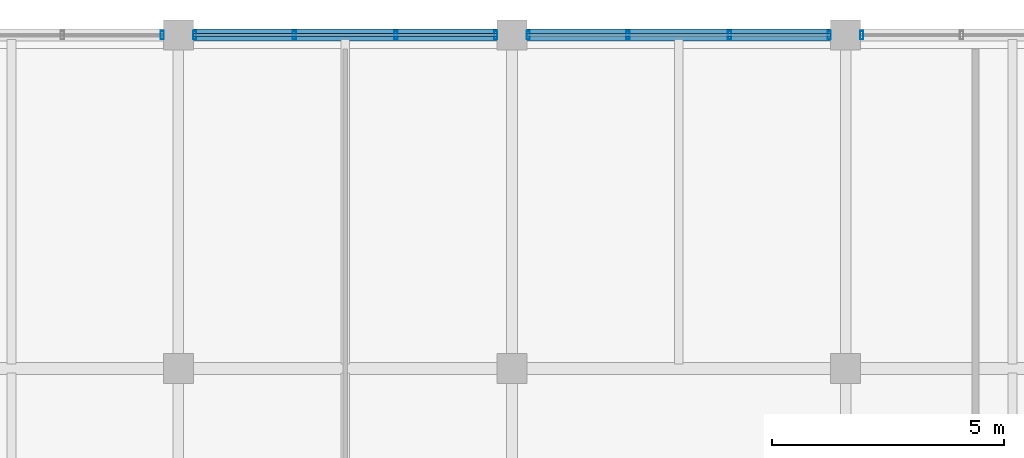
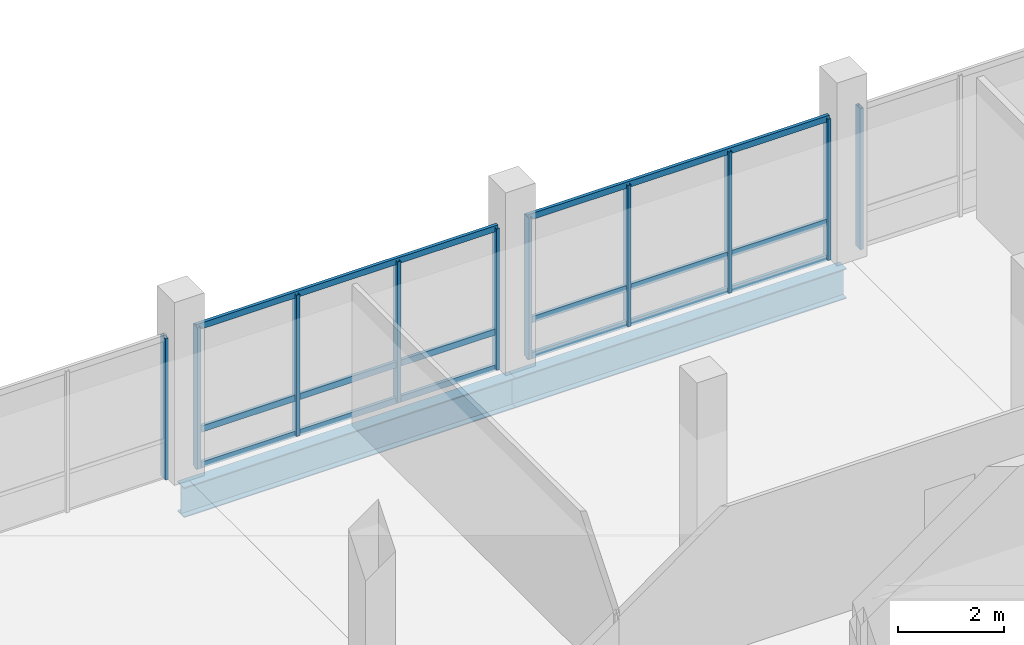
# One storey, part 65 of 102: 16 members, 2 beams, 4 elements without a shape of their own.
"""IFC4 building model written with IfcOpenShell, lengths in metres."""

from ifc_helpers import new_model, si_unit, direction, frame, origin, origin_2d, place, context, subcontext, project, spatial, hollow_rectangle, i_section, extrude, material, material_profile, profile_set, type_object, element, aggregate, save


model = new_model("IFC4")

# Units and contexts
model_context = context("Model", 3, precision=1e-05, world=origin(), true_north=direction((0.0, 1.0)))
body_context = subcontext(model_context, "Body", "Model", "MODEL_VIEW")
ifc_project = project(units=[si_unit("LENGTHUNIT", "METRE"), si_unit("AREAUNIT", "SQUARE_METRE"), si_unit("VOLUMEUNIT", "CUBIC_METRE"), si_unit("PLANEANGLEUNIT", "RADIAN"), si_unit("MASSUNIT", "GRAM", prefix="KILO")], contexts=[model_context])

# Site, building, storey
site_placement = place(None, origin())
site = spatial("IfcSite", under=ifc_project, at=site_placement, CompositionType="ELEMENT")
building_placement = place(site_placement, origin())
building = spatial("IfcBuilding", under=site, at=building_placement, Name="Yarey Park Central Fire Station", CompositionType="ELEMENT")
storey_placement = place(building_placement, frame((0.0, 0.0, 6.0)))
storey = spatial("IfcBuildingStorey", under=building, at=storey_placement, Name="L02", CompositionType="ELEMENT", Elevation=6.0)

# Curtain wall, member
ifc_material_1 = material(Name="Anodized Aluminium Frame", Category="aluminium")
curtain_wall_type = type_object("IfcCurtainWallType", Name="ENV_CW_HQ_L02", PredefinedType="NOTDEFINED", material=ifc_material_1)
curtain_wall_1_placement = place(storey_placement, origin())
curtain_wall_1 = element("IfcCurtainWall", 1, at=curtain_wall_1_placement, inside=storey, type_object=curtain_wall_type, Name="CW_L02_V4_N_2", PredefinedType="NOTDEFINED")
ifc_material_profile_1 = material_profile(ifc_material_1, hollow_rectangle(XDim=0.070068359375, YDim=0.179931640625, WallThickness=0.00390625, at=origin_2d()), Name="ALU 180x70x4")
ifc_profile_set_1 = profile_set([ifc_material_profile_1], Name="Anodized Aluminium Frame")
member_type_1 = type_object("IfcMemberType", Name="ENV_CW_MULLION", PredefinedType="MULLION", material=ifc_profile_set_1)
member_1_placement = place(storey_placement, frame((129.25, 115.199951171875, 0.0), z_axis=(0.0, 0.0, 1.0), x_axis=(1.0, 0.0, 0.0)))
member_1 = element("IfcMember", 2, at=member_1_placement, type_object=member_type_1, Name="CW_L02_V4_N_2_MUL1", PredefinedType="MULLION", context=body_context, shape_type="SweptSolid", body=[
    extrude(hollow_rectangle(XDim=0.070068359375, YDim=0.179931640625, WallThickness=0.00390625, at=origin_2d()), origin(), (0.0, 0.0, 1.0), 3.2470703125),
])
aggregate(curtain_wall_1, [member_1])

# Curtain wall, members
curtain_wall_2_placement = place(storey_placement, origin())
curtain_wall_2 = element("IfcCurtainWall", 3, at=curtain_wall_2_placement, inside=storey, type_object=curtain_wall_type, Name="CW_L02_V4_N_3", PredefinedType="NOTDEFINED")
member_2_placement = place(storey_placement, frame((136.449951171875, 115.199951171875, 0.0), z_axis=(0.0, 0.0, 1.0), x_axis=(1.0, 0.0, 0.0)))
member_2 = element("IfcMember", 4, at=member_2_placement, type_object=member_type_1, Name="CW_L02_V4_N_3_MUL1", PredefinedType="MULLION", context=body_context, shape_type="SweptSolid", body=[
    extrude(hollow_rectangle(XDim=0.070068359375, YDim=0.179931640625, WallThickness=0.00390625, at=origin_2d()), origin(), (0.0, 0.0, 1.0), 3.2470703125),
])
member_3_placement = place(storey_placement, frame((134.296630859375, 115.199951171875, 0.0), z_axis=(0.0, 0.0, 1.0), x_axis=(1.0, 0.0, 0.0)))
member_3 = element("IfcMember", 5, at=member_3_placement, type_object=member_type_1, Name="CW_L02_V4_N_3_MUL2", PredefinedType="MULLION", context=body_context, shape_type="SweptSolid", body=[
    extrude(hollow_rectangle(XDim=0.070068359375, YDim=0.179931640625, WallThickness=0.00390625, at=origin_2d()), origin(), (0.0, 0.0, 1.0), 3.2470703125),
])
member_4_placement = place(storey_placement, frame((132.103271484375, 115.199951171875, 0.0), z_axis=(0.0, 0.0, 1.0), x_axis=(1.0, 0.0, 0.0)))
member_4 = element("IfcMember", 6, at=member_4_placement, type_object=member_type_1, Name="CW_L02_V4_N_3_MUL3", PredefinedType="MULLION", context=body_context, shape_type="SweptSolid", body=[
    extrude(hollow_rectangle(XDim=0.070068359375, YDim=0.179931640625, WallThickness=0.00390625, at=origin_2d()), origin(), (0.0, 0.0, 1.0), 3.2470703125),
])
member_5_placement = place(storey_placement, frame((129.949951171875, 115.199951171875, 0.0), z_axis=(0.0, 0.0, 1.0), x_axis=(1.0, 0.0, 0.0)))
member_5 = element("IfcMember", 7, at=member_5_placement, type_object=member_type_1, Name="CW_L02_V4_N_3_MUL4", PredefinedType="MULLION", context=body_context, shape_type="SweptSolid", body=[
    extrude(hollow_rectangle(XDim=0.070068359375, YDim=0.179931640625, WallThickness=0.00390625, at=origin_2d()), origin(), (0.0, 0.0, 1.0), 3.2470703125),
])

curtain_wall_3_placement = place(storey_placement, origin())
curtain_wall_3 = element("IfcCurtainWall", 8, at=curtain_wall_3_placement, inside=storey, type_object=curtain_wall_type, Name="CW_L02_V4_N_4", PredefinedType="NOTDEFINED")
member_6_placement = place(storey_placement, frame((143.64990234375, 115.199951171875, 0.0), z_axis=(0.0, 0.0, 1.0), x_axis=(1.0, 0.0, 0.0)))
member_6 = element("IfcMember", 9, at=member_6_placement, type_object=member_type_1, Name="CW_L02_V4_N_4_MUL1", PredefinedType="MULLION", context=body_context, shape_type="SweptSolid", body=[
    extrude(hollow_rectangle(XDim=0.070068359375, YDim=0.179931640625, WallThickness=0.00390625, at=origin_2d()), origin(), (0.0, 0.0, 1.0), 3.2470703125),
])
member_7_placement = place(storey_placement, frame((141.49658203125, 115.199951171875, 0.0), z_axis=(0.0, 0.0, 1.0), x_axis=(1.0, 0.0, 0.0)))
member_7 = element("IfcMember", 10, at=member_7_placement, type_object=member_type_1, Name="CW_L02_V4_N_4_MUL2", PredefinedType="MULLION", context=body_context, shape_type="SweptSolid", body=[
    extrude(hollow_rectangle(XDim=0.070068359375, YDim=0.179931640625, WallThickness=0.00390625, at=origin_2d()), origin(), (0.0, 0.0, 1.0), 3.2470703125),
])
member_8_placement = place(storey_placement, frame((139.30322265625, 115.199951171875, 0.0), z_axis=(0.0, 0.0, 1.0), x_axis=(1.0, 0.0, 0.0)))
member_8 = element("IfcMember", 11, at=member_8_placement, type_object=member_type_1, Name="CW_L02_V4_N_4_MUL3", PredefinedType="MULLION", context=body_context, shape_type="SweptSolid", body=[
    extrude(hollow_rectangle(XDim=0.070068359375, YDim=0.179931640625, WallThickness=0.00390625, at=origin_2d()), origin(), (0.0, 0.0, 1.0), 3.2470703125),
])
member_9_placement = place(storey_placement, frame((137.14990234375, 115.199951171875, 0.0), z_axis=(0.0, 0.0, 1.0), x_axis=(1.0, 0.0, 0.0)))
member_9 = element("IfcMember", 12, at=member_9_placement, type_object=member_type_1, Name="CW_L02_V4_N_4_MUL4", PredefinedType="MULLION", context=body_context, shape_type="SweptSolid", body=[
    extrude(hollow_rectangle(XDim=0.070068359375, YDim=0.179931640625, WallThickness=0.00390625, at=origin_2d()), origin(), (0.0, 0.0, 1.0), 3.2470703125),
])

# Curtain wall, member
curtain_wall_4_placement = place(storey_placement, origin())
curtain_wall_4 = element("IfcCurtainWall", 13, at=curtain_wall_4_placement, inside=storey, type_object=curtain_wall_type, Name="CW_L02_V4_N_5", PredefinedType="NOTDEFINED")
member_10_placement = place(storey_placement, frame((144.35009765625, 115.199951171875, 0.0), z_axis=(0.0, 0.0, 1.0), x_axis=(1.0, 0.0, 0.0)))
member_10 = element("IfcMember", 14, at=member_10_placement, type_object=member_type_1, Name="CW_L02_V4_N_5_MUL4", PredefinedType="MULLION", context=body_context, shape_type="SweptSolid", body=[
    extrude(hollow_rectangle(XDim=0.070068359375, YDim=0.179931640625, WallThickness=0.00390625, at=origin_2d()), origin(), (0.0, 0.0, 1.0), 3.2470703125),
])
aggregate(curtain_wall_4, [member_10])

# Member
ifc_material_profile_2 = material_profile(ifc_material_1, hollow_rectangle(XDim=0.070068359375, YDim=0.139892578125, WallThickness=0.00390625, at=origin_2d()), Name="ALU 140x70x4")
ifc_profile_set_2 = profile_set([ifc_material_profile_2], Name="Anodized Aluminium Frame")
member_type_2 = type_object("IfcMemberType", Name="ENV_CW_TRANSOM", PredefinedType="USERDEFINED", material=ifc_profile_set_2)
member_11_placement = place(storey_placement, frame((136.47509765625, 115.199951171875, 0.02490234375), z_axis=(-1.0, 0.0, 0.0), x_axis=(0.0, -1.0, 0.0)))
member_11 = element("IfcMember", 15, at=member_11_placement, type_object=member_type_2, Name="CW_L02_V4_N_3_TRN1", ObjectType="TRANSOM", PredefinedType="USERDEFINED", context=body_context, shape_type="SweptSolid", body=[
    extrude(hollow_rectangle(XDim=0.070068359375, YDim=0.139892578125, WallThickness=0.00390625, at=origin_2d()), origin(), (0.0, 0.0, 1.0), 6.550048828125),
])

member_12_placement = place(storey_placement, frame((136.47509765625, 115.199951171875, 0.85009765625), z_axis=(-1.0, 0.0, 0.0), x_axis=(0.0, -1.0, 0.0)))
member_12 = element("IfcMember", 16, at=member_12_placement, type_object=member_type_2, Name="CW_L02_V4_N_3_TRN2", ObjectType="TRANSOM", PredefinedType="USERDEFINED", context=body_context, shape_type="SweptSolid", body=[
    extrude(hollow_rectangle(XDim=0.070068359375, YDim=0.139892578125, WallThickness=0.00390625, at=origin_2d()), origin(), (0.0, 0.0, 1.0), 6.550048828125),
])

member_13_placement = place(storey_placement, frame((136.47509765625, 115.199951171875, 3.221923828125), z_axis=(-1.0, 0.0, 0.0), x_axis=(0.0, -1.0, 0.0)))
member_13 = element("IfcMember", 17, at=member_13_placement, type_object=member_type_2, Name="CW_L02_V4_N_3_TRN3", ObjectType="TRANSOM", PredefinedType="USERDEFINED", context=body_context, shape_type="SweptSolid", body=[
    extrude(hollow_rectangle(XDim=0.070068359375, YDim=0.139892578125, WallThickness=0.00390625, at=origin_2d()), origin(), (0.0, 0.0, 1.0), 6.550048828125),
])

aggregate(curtain_wall_2, [member_2, member_3, member_4, member_5, member_11, member_12, member_13])

member_14_placement = place(storey_placement, frame((143.675048828125, 115.199951171875, 0.02490234375), z_axis=(-1.0, 0.0, 0.0), x_axis=(0.0, -1.0, 0.0)))
member_14 = element("IfcMember", 18, at=member_14_placement, type_object=member_type_2, Name="CW_L02_V4_N_4_TRN1", ObjectType="TRANSOM", PredefinedType="USERDEFINED", context=body_context, shape_type="SweptSolid", body=[
    extrude(hollow_rectangle(XDim=0.070068359375, YDim=0.139892578125, WallThickness=0.00390625, at=origin_2d()), origin(), (0.0, 0.0, 1.0), 6.550048828125),
])

member_15_placement = place(storey_placement, frame((143.675048828125, 115.199951171875, 0.85009765625), z_axis=(-1.0, 0.0, 0.0), x_axis=(0.0, -1.0, 0.0)))
member_15 = element("IfcMember", 19, at=member_15_placement, type_object=member_type_2, Name="CW_L02_V4_N_4_TRN2", ObjectType="TRANSOM", PredefinedType="USERDEFINED", context=body_context, shape_type="SweptSolid", body=[
    extrude(hollow_rectangle(XDim=0.070068359375, YDim=0.139892578125, WallThickness=0.00390625, at=origin_2d()), origin(), (0.0, 0.0, 1.0), 6.550048828125),
])

member_16_placement = place(storey_placement, frame((143.675048828125, 115.199951171875, 3.221923828125), z_axis=(-1.0, 0.0, 0.0), x_axis=(0.0, -1.0, 0.0)))
member_16 = element("IfcMember", 20, at=member_16_placement, type_object=member_type_2, Name="CW_L02_V4_N_4_TRN3", ObjectType="TRANSOM", PredefinedType="USERDEFINED", context=body_context, shape_type="SweptSolid", body=[
    extrude(hollow_rectangle(XDim=0.070068359375, YDim=0.139892578125, WallThickness=0.00390625, at=origin_2d()), origin(), (0.0, 0.0, 1.0), 6.550048828125),
])

aggregate(curtain_wall_3, [member_6, member_7, member_8, member_9, member_14, member_15, member_16])

# Beams
ifc_material_2 = material(Name="Steel ASTM A992 Gr. 50", Category="steel")
ifc_material_profile_3 = material_profile(ifc_material_2, i_section(OverallWidth=0.256103515625, OverallDepth=0.693115234375, WebThickness=0.014404296875, FlangeThickness=0.023681640625, at=origin_2d()), Name="W690x170")
ifc_profile_set_3 = profile_set([ifc_material_profile_3], Name="Steel ASTM A992 Gr. 50")
beam_type = type_object("IfcBeamType", Name="STR_BM_W690", PredefinedType="BEAM", material=ifc_profile_set_3)
for number, where, z_axis, x_axis, name in (
    (21, (129.60009765625, 115.199951171875, -0.631591796875), (1.0, 0.0, 0.0), (0.0, 1.0, 0.0), "BMX L02 Y1152 X1296"),
    (22, (136.800048828125, 115.199951171875, -0.631591796875), (1.0, 0.0, 0.0), (0.0, 1.0, 0.0), "BMX L02 Y1152 X1368"),
):
    element("IfcBeam", number, at=place(storey_placement, frame(where, z_axis=z_axis, x_axis=x_axis)), inside=storey, type_object=beam_type, Name=name, PredefinedType="BEAM", context=body_context, shape_type="SweptSolid", body=[
        extrude(i_section(OverallWidth=0.256103515625, OverallDepth=0.693115234375, WebThickness=0.014404296875, FlangeThickness=0.023681640625, at=origin_2d()), origin(), (0.0, 0.0, 1.0), 7.199951171875),
    ])

save(model, "model.ifc")
